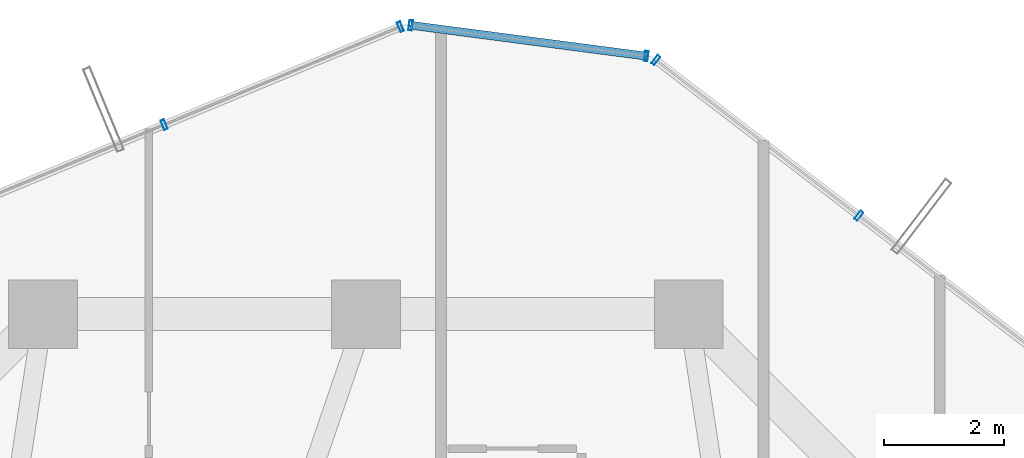
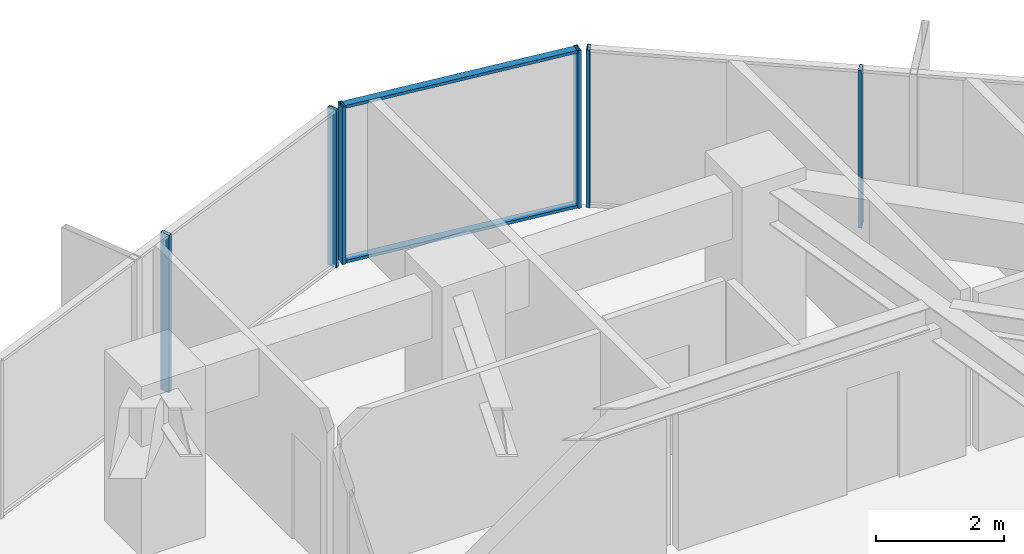
# One storey, part 22 of 30: 8 members, 3 elements without a shape of their own.
"""IFC4 building model written with IfcOpenShell, lengths in metres."""

from ifc_helpers import new_model, si_unit, direction, frame, origin, origin_2d, place, context, subcontext, project, spatial, hollow_rectangle, extrude, source, transform, mapped, material, layer, layer_set, material_profile, profile_set, type_object, element, aggregate, save


model = new_model("IFC4")

# Units and contexts
model_context = context("Model", 3, precision=1e-05, world=origin(), true_north=direction((0.0, 1.0)))
body_context = subcontext(model_context, "Body", "Model", "MODEL_VIEW")
ifc_project = project(units=[si_unit("LENGTHUNIT", "METRE"), si_unit("AREAUNIT", "SQUARE_METRE"), si_unit("VOLUMEUNIT", "CUBIC_METRE"), si_unit("PLANEANGLEUNIT", "RADIAN"), si_unit("MASSUNIT", "GRAM", prefix="KILO")], contexts=[model_context])

# Site, building, storey
site_placement = place(None, origin())
site = spatial("IfcSite", under=ifc_project, at=site_placement, CompositionType="ELEMENT")
building_placement = place(site_placement, origin())
building = spatial("IfcBuilding", under=site, at=building_placement, Name="Veraguas Prism Commons", CompositionType="ELEMENT")
storey_placement = place(building_placement, frame((0.0, 0.0, 102.449951171875)))
storey = spatial("IfcBuildingStorey", under=building, at=storey_placement, Name="L28", CompositionType="ELEMENT", Elevation=102.449951171875)

# Curtain wall, members
ifc_material = material(Name="Anodised aluminium EN AW-6063 T6", Category="aluminium")
ifc_layer = layer(ifc_material, 0.169921875, Name="Unitised Flush Curtain Wall Zone 2", Category="aluminium")
ifc_layer_set = layer_set([ifc_layer], Name="Anodised aluminium EN AW-6063 T6")
curtain_wall_type = type_object("IfcCurtainWallType", Name="Unitised Flush Curtain Wall Zone 2", PredefinedType="NOTDEFINED", material=ifc_layer_set)
curtain_wall_1_placement = place(storey_placement, origin())
curtain_wall_1 = element("IfcCurtainWall", 1, at=curtain_wall_1_placement, inside=storey, type_object=curtain_wall_type, Name="Tower Facade Curtain Wall L28-F1", PredefinedType="NOTDEFINED")
ifc_material_profile_1 = material_profile(ifc_material, hollow_rectangle(XDim=0.06005859375, YDim=0.169921875, WallThickness=0.00390625, at=origin_2d()), Name="AL60X170X4")
ifc_profile_set_1 = profile_set([ifc_material_profile_1], Name="Anodised aluminium EN AW-6063 T6")
member_type_1 = type_object("IfcMemberType", Name="Curtain Wall Mullion Lower AL 60x170x4", PredefinedType="MULLION", material=ifc_profile_set_1)
shared_shape_1 = source(origin(), body_context, "Body", "SweptSolid", [
    extrude(hollow_rectangle(XDim=0.06005859375, YDim=0.169921875, WallThickness=0.00390625, at=origin_2d()), origin(), (0.0, 0.0, 1.0), 3.0),
])
member_1_placement = place(storey_placement, frame((32.246826171875, 41.84716796875, 0.0), z_axis=(0.0, 0.0, 1.0), x_axis=(-0.793778142573, 0.608207415585, 0.0)))
member_1 = element("IfcMember", 2, at=member_1_placement, type_object=member_type_1, Name="CW-Z2 Mullion 4", PredefinedType="MULLION", context=body_context, shape_type="MappedRepresentation", body=[
    mapped(shared_shape_1, transform((0.0, 0.0, 0.0), scale=1.0)),
])
member_2_placement = place(storey_placement, frame((28.8505859375, 44.449462890625, 0.0), z_axis=(0.0, 0.0, 1.0), x_axis=(-0.793778142573, 0.608207415585, 0.0)))
member_2 = element("IfcMember", 3, at=member_2_placement, type_object=member_type_1, Name="CW-Z2 Mullion 5", PredefinedType="MULLION", context=body_context, shape_type="MappedRepresentation", body=[
    mapped(shared_shape_1, transform((0.0, 0.0, 0.0), scale=1.0)),
])
aggregate(curtain_wall_1, [member_1, member_2])

curtain_wall_2_placement = place(storey_placement, origin())
curtain_wall_2 = element("IfcCurtainWall", 4, at=curtain_wall_2_placement, inside=storey, type_object=curtain_wall_type, Name="Tower Facade Curtain Wall L28-F2", PredefinedType="NOTDEFINED")
member_3_placement = place(storey_placement, frame((24.578125, 45.0087890625, 0.0), z_axis=(0.0, 0.0, 1.0), x_axis=(-0.92361080588, -0.383331552657, 0.0)))
member_3 = element("IfcMember", 5, at=member_3_placement, type_object=member_type_1, Name="CW-Z2 Mullion 1", PredefinedType="MULLION", context=body_context, shape_type="MappedRepresentation", body=[
    mapped(shared_shape_1, transform((0.0, 0.0, 0.0), scale=1.0)),
])
member_4_placement = place(storey_placement, frame((20.626220703125, 43.368896484375, 0.0), z_axis=(0.0, 0.0, 1.0), x_axis=(-0.92361080588, -0.383331552657, 0.0)))
member_4 = element("IfcMember", 6, at=member_4_placement, type_object=member_type_1, Name="CW-Z2 Mullion 2", PredefinedType="MULLION", context=body_context, shape_type="MappedRepresentation", body=[
    mapped(shared_shape_1, transform((0.0, 0.0, 0.0), scale=1.0)),
])
aggregate(curtain_wall_2, [member_3, member_4])

curtain_wall_3_placement = place(storey_placement, origin())
curtain_wall_3 = element("IfcCurtainWall", 7, at=curtain_wall_3_placement, inside=storey, type_object=curtain_wall_type, Name="Chamfer Curtain Wall L28-C2", PredefinedType="NOTDEFINED")
member_5_placement = place(storey_placement, frame((28.68994140625, 44.515869140625, 0.0), z_axis=(0.0, 0.0, 1.0), x_axis=(-0.991536877208, 0.129825348594, 0.0)))
member_5 = element("IfcMember", 8, at=member_5_placement, type_object=member_type_1, Name="CW-Z2 Mullion 1", PredefinedType="MULLION", context=body_context, shape_type="MappedRepresentation", body=[
    mapped(shared_shape_1, transform((0.0, 0.0, 0.0), scale=1.0)),
])
member_6_placement = place(storey_placement, frame((24.75048828125, 45.03173828125, 0.0), z_axis=(0.0, 0.0, 1.0), x_axis=(-0.991536877208, 0.129825348594, 0.0)))
member_6 = element("IfcMember", 9, at=member_6_placement, type_object=member_type_1, Name="CW-Z2 Mullion 2", PredefinedType="MULLION", context=body_context, shape_type="MappedRepresentation", body=[
    mapped(shared_shape_1, transform((0.0, 0.0, 0.0), scale=1.0)),
])
ifc_material_profile_2 = material_profile(ifc_material, hollow_rectangle(XDim=0.054931640625, YDim=0.135009765625, WallThickness=0.0029296875, at=origin_2d()), Name="AL55X135X3")
ifc_profile_set_2 = profile_set([ifc_material_profile_2], Name="Anodised aluminium EN AW-6063 T6")
member_type_2 = type_object("IfcMemberType", Name="Curtain Wall Transom Standard AL 55x135x3", PredefinedType="USERDEFINED", material=ifc_profile_set_2)
shared_shape_2 = source(origin(), body_context, "Body", "SweptSolid", [
    extrude(hollow_rectangle(XDim=0.054931640625, YDim=0.135009765625, WallThickness=0.0029296875, at=origin_2d()), origin(), (0.0, 0.0, 1.0), 3.97314453125),
])
member_7_placement = place(storey_placement, frame((28.68994140625, 44.515869140625, 0.027587890625), z_axis=(-0.991534838041, 0.129840921714, 0.0), x_axis=(0.0, 0.0, 1.0)))
member_7 = element("IfcMember", 10, at=member_7_placement, type_object=member_type_2, Name="CW-Z2 Transom 1", ObjectType="TRANSOM", PredefinedType="USERDEFINED", context=body_context, shape_type="MappedRepresentation", body=[
    mapped(shared_shape_2, transform((0.0, 0.0, 0.0), scale=1.0)),
])
member_8_placement = place(storey_placement, frame((28.68994140625, 44.515869140625, 2.97265625), z_axis=(-0.991534838041, 0.129840921714, 0.0), x_axis=(0.0, 0.0, 1.0)))
member_8 = element("IfcMember", 11, at=member_8_placement, type_object=member_type_2, Name="CW-Z2 Transom 2", ObjectType="TRANSOM", PredefinedType="USERDEFINED", context=body_context, shape_type="MappedRepresentation", body=[
    mapped(shared_shape_2, transform((0.0, 0.0, 0.0), scale=1.0)),
])
aggregate(curtain_wall_3, [member_5, member_6, member_7, member_8])

save(model, "model.ifc")
